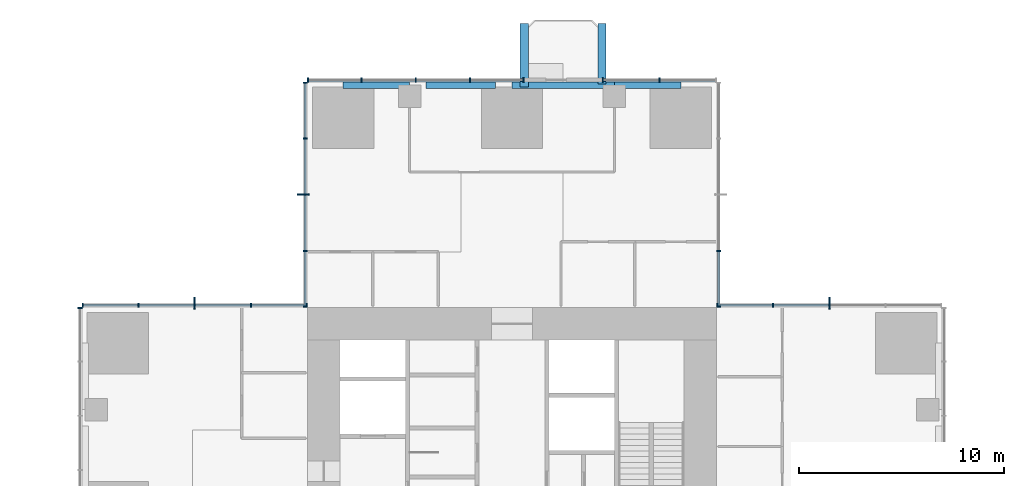
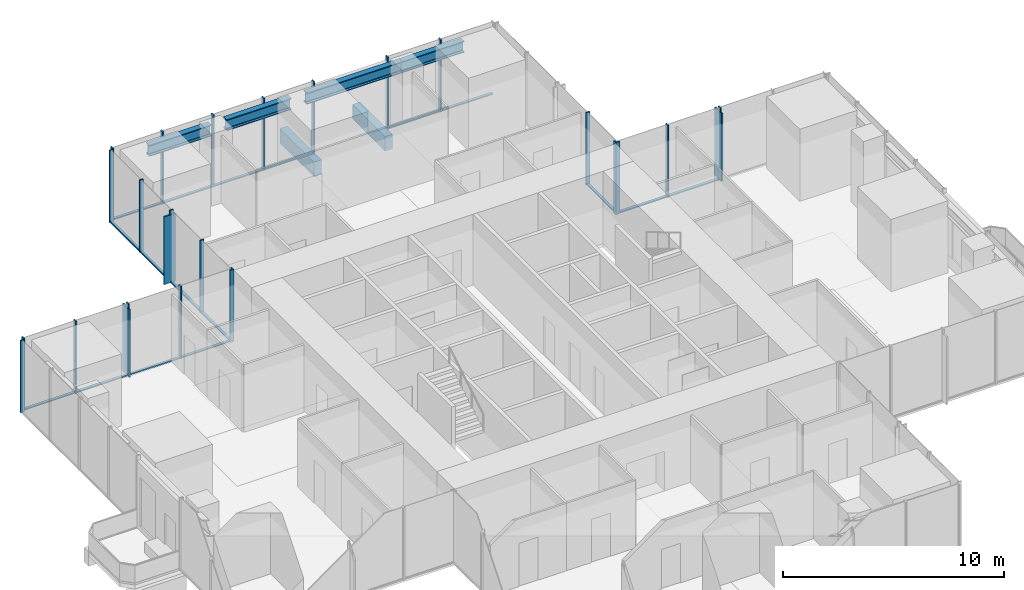
# One storey, part 5 of 13: 43 members, 6 beams, 7 elements without a shape of their own.
"""IFC4 building model written with IfcOpenShell, lengths in metres."""

from ifc_helpers import new_model, si_unit, direction, frame, origin, origin_2d, place, context, subcontext, project, spatial, rectangle, i_section, extrude, material, material_profile, profile_set, type_object, element, aggregate, save


model = new_model("IFC4")

# Units and contexts
model_context = context("Model", 3, precision=1e-05, world=origin(), true_north=direction((0.0, 1.0)))
body_context = subcontext(model_context, "Body", "Model", "MODEL_VIEW")
ifc_project = project(units=[si_unit("LENGTHUNIT", "METRE"), si_unit("AREAUNIT", "SQUARE_METRE"), si_unit("VOLUMEUNIT", "CUBIC_METRE"), si_unit("PLANEANGLEUNIT", "RADIAN"), si_unit("MASSUNIT", "GRAM", prefix="KILO")], contexts=[model_context])

# Site, building, storey
site_placement = place(None, origin())
site = spatial("IfcSite", under=ifc_project, at=site_placement, CompositionType="ELEMENT")
building_placement = place(site_placement, origin())
building = spatial("IfcBuilding", under=site, at=building_placement, Name="Svetlomir Tower", CompositionType="ELEMENT")
storey_placement = place(building_placement, frame((0.0, 0.0, 128.5)))
storey = spatial("IfcBuildingStorey", under=building, at=storey_placement, Name="L30", CompositionType="ELEMENT", Elevation=128.5)

# Beams
ifc_material_1 = material(Name="Concrete C60/75", Category="concrete")
ifc_material_profile_1 = material_profile(ifc_material_1, rectangle(XDim=0.39990234375, YDim=0.800048828125, at=origin_2d()), Name="RC 400x800")
ifc_profile_set_1 = profile_set([ifc_material_profile_1], Name="Concrete C60/75")
beam_type_1 = type_object("IfcBeamType", Name="BALCONY RIB RC 400x800", PredefinedType="BEAM", material=ifc_profile_set_1)
beam_1_placement = place(storey_placement, frame((21.60009765625, 41.75, -0.64990234375), z_axis=(0.0, 1.0, 0.0), x_axis=(-1.0, 0.0, 0.0)))
element("IfcBeam", 1, at=beam_1_placement, inside=storey, type_object=beam_type_1, Name="Balcony rib N 1 L30", PredefinedType="BEAM", context=body_context, shape_type="SweptSolid", body=[
    extrude(rectangle(XDim=0.39990234375, YDim=0.800048828125, at=origin_2d()), origin(), (0.0, 0.0, 1.0), 3.10009765625),
])
beam_2_placement = place(storey_placement, frame((25.39990234375, 41.89990234375, -0.64990234375), z_axis=(0.0, 1.0, 0.0), x_axis=(-1.0, 0.0, 0.0)))
element("IfcBeam", 2, at=beam_2_placement, inside=storey, type_object=beam_type_1, Name="Balcony rib N 2 L30", PredefinedType="BEAM", context=body_context, shape_type="SweptSolid", body=[
    extrude(rectangle(XDim=0.39990234375, YDim=0.800048828125, at=origin_2d()), origin(), (0.0, 0.0, 1.0), 2.9501953125),
])

# Curtain wall, member
ifc_material_2 = material(Name="Bronze anodised aluminium curtain wall", Category="aluminium")
curtain_wall_type = type_object("IfcCurtainWallType", Name="CURTAIN WALL CW1 TOWER OFFICE", PredefinedType="NOTDEFINED", material=ifc_material_2)
curtain_wall_1_placement = place(storey_placement, origin())
curtain_wall_1 = element("IfcCurtainWall", 3, at=curtain_wall_1_placement, inside=storey, type_object=curtain_wall_type, Name="Curtain wall CW1 L30", PredefinedType="NOTDEFINED")
ifc_material_3 = material(Name="Bronze anodised aluminium", Category="aluminium")
ifc_material_profile_2 = material_profile(ifc_material_3, rectangle(XDim=0.080078125, YDim=0.60009765625, at=origin_2d()), Name="FIN 80x600")
ifc_profile_set_2 = profile_set([ifc_material_profile_2], Name="Bronze anodised aluminium 6063-T6")
member_type_1 = type_object("IfcMemberType", Name="BRONZE FIN 80x600", PredefinedType="USERDEFINED", material=ifc_profile_set_2)
member_1_placement = place(storey_placement, frame((36.5, 31.199951171875, 0.0), z_axis=(0.0, 0.0, 1.0), x_axis=(1.0, 0.0, 0.0)))
member_1 = element("IfcMember", 4, at=member_1_placement, type_object=member_type_1, Name="Bronze fin L30", ObjectType="FIN", PredefinedType="USERDEFINED", context=body_context, shape_type="SweptSolid", body=[
    extrude(rectangle(XDim=0.080078125, YDim=0.60009765625, at=origin_2d()), origin(), (0.0, 0.0, 1.0), 3.75),
])

curtain_wall_2_placement = place(storey_placement, origin())
curtain_wall_2 = element("IfcCurtainWall", 5, at=curtain_wall_2_placement, inside=storey, type_object=curtain_wall_type, Name="Curtain wall CW1 L30", PredefinedType="NOTDEFINED")
member_2_placement = place(storey_placement, frame((10.800048828125, 36.5, 0.0), z_axis=(0.0, 0.0, 1.0), x_axis=(0.0, 1.0, 0.0)))
member_2 = element("IfcMember", 6, at=member_2_placement, type_object=member_type_1, Name="Bronze fin L30", ObjectType="FIN", PredefinedType="USERDEFINED", context=body_context, shape_type="SweptSolid", body=[
    extrude(rectangle(XDim=0.080078125, YDim=0.60009765625, at=origin_2d()), origin(), (0.0, 0.0, 1.0), 3.75),
])

curtain_wall_3_placement = place(storey_placement, origin())
curtain_wall_3 = element("IfcCurtainWall", 7, at=curtain_wall_3_placement, inside=storey, type_object=curtain_wall_type, Name="Curtain wall CW1 L30", PredefinedType="NOTDEFINED")
member_3_placement = place(storey_placement, frame((5.5, 31.199951171875, 0.0), z_axis=(0.0, 0.0, 1.0), x_axis=(1.0, 0.0, 0.0)))
member_3 = element("IfcMember", 8, at=member_3_placement, type_object=member_type_1, Name="Bronze fin L30", ObjectType="FIN", PredefinedType="USERDEFINED", context=body_context, shape_type="SweptSolid", body=[
    extrude(rectangle(XDim=0.080078125, YDim=0.60009765625, at=origin_2d()), origin(), (0.0, 0.0, 1.0), 3.75),
])

# Member
ifc_material_4 = material(Name="Bronze anodised aluminium", Category="aluminium")
ifc_material_profile_3 = material_profile(ifc_material_4, rectangle(XDim=0.06494140625, YDim=0.199951171875, at=origin_2d()), Name="AL 65x200")
ifc_profile_set_3 = profile_set([ifc_material_profile_3], Name="Bronze anodised aluminium 6063-T6")
member_type_2 = type_object("IfcMemberType", Name="CW1 MULLION 65x200", PredefinedType="MULLION", material=ifc_profile_set_3)
member_4_placement = place(storey_placement, frame((36.5, 31.10009765625, 0.0), z_axis=(0.0, 0.0, 1.0), x_axis=(-1.0, 0.0, 0.0)))
member_4 = element("IfcMember", 9, at=member_4_placement, type_object=member_type_2, Name="CW1 mullion 3", PredefinedType="MULLION", context=body_context, shape_type="SweptSolid", body=[
    extrude(rectangle(XDim=0.06494140625, YDim=0.199951171875, at=origin_2d()), origin(), (0.0, 0.0, 1.0), 4.0),
])

member_5_placement = place(storey_placement, frame((33.75, 31.10009765625, 0.0), z_axis=(0.0, 0.0, 1.0), x_axis=(-1.0, 0.0, 0.0)))
member_5 = element("IfcMember", 10, at=member_5_placement, type_object=member_type_2, Name="CW1 mullion 4", PredefinedType="MULLION", context=body_context, shape_type="SweptSolid", body=[
    extrude(rectangle(XDim=0.06494140625, YDim=0.199951171875, at=origin_2d()), origin(), (0.0, 0.0, 1.0), 4.0),
])

member_6_placement = place(storey_placement, frame((31.032470703125, 31.10009765625, 0.0), z_axis=(0.0, 0.0, 1.0), x_axis=(-1.0, 0.0, 0.0)))
member_6 = element("IfcMember", 11, at=member_6_placement, type_object=member_type_2, Name="CW1 mullion 5", PredefinedType="MULLION", context=body_context, shape_type="SweptSolid", body=[
    extrude(rectangle(XDim=0.06494140625, YDim=0.199951171875, at=origin_2d()), origin(), (0.0, 0.0, 1.0), 4.0),
])

# Curtain wall, members
curtain_wall_4_placement = place(storey_placement, origin())
curtain_wall_4 = element("IfcCurtainWall", 12, at=curtain_wall_4_placement, inside=storey, type_object=curtain_wall_type, Name="Curtain wall CW1 L30", PredefinedType="NOTDEFINED")
member_7_placement = place(storey_placement, frame((31.10009765625, 31.032470703125, 0.0), z_axis=(0.0, 0.0, 1.0), x_axis=(0.0, 1.0, 0.0)))
member_7 = element("IfcMember", 13, at=member_7_placement, type_object=member_type_2, Name="CW1 mullion 1", PredefinedType="MULLION", context=body_context, shape_type="SweptSolid", body=[
    extrude(rectangle(XDim=0.06494140625, YDim=0.199951171875, at=origin_2d()), origin(), (0.0, 0.0, 1.0), 4.0),
])
member_8_placement = place(storey_placement, frame((31.10009765625, 33.75, 0.0), z_axis=(0.0, 0.0, 1.0), x_axis=(0.0, 1.0, 0.0)))
member_8 = element("IfcMember", 14, at=member_8_placement, type_object=member_type_2, Name="CW1 mullion 2", PredefinedType="MULLION", context=body_context, shape_type="SweptSolid", body=[
    extrude(rectangle(XDim=0.06494140625, YDim=0.199951171875, at=origin_2d()), origin(), (0.0, 0.0, 1.0), 4.0),
])

curtain_wall_5_placement = place(storey_placement, origin())
curtain_wall_5 = element("IfcCurtainWall", 15, at=curtain_wall_5_placement, inside=storey, type_object=curtain_wall_type, Name="Curtain wall CW1 L30", PredefinedType="NOTDEFINED")
member_9_placement = place(storey_placement, frame((28.199951171875, 42.10009765625, 0.0), z_axis=(0.0, 0.0, 1.0), x_axis=(-1.0, 0.0, 0.0)))
member_9 = element("IfcMember", 16, at=member_9_placement, type_object=member_type_2, Name="CW1 mullion 2", PredefinedType="MULLION", context=body_context, shape_type="SweptSolid", body=[
    extrude(rectangle(XDim=0.06494140625, YDim=0.199951171875, at=origin_2d()), origin(), (0.0, 0.0, 1.0), 4.0),
])
member_10_placement = place(storey_placement, frame((25.4326171875, 42.10009765625, 0.0), z_axis=(0.0, 0.0, 1.0), x_axis=(-1.0, 0.0, 0.0)))
member_10 = element("IfcMember", 17, at=member_10_placement, type_object=member_type_2, Name="CW1 mullion 3", PredefinedType="MULLION", context=body_context, shape_type="SweptSolid", body=[
    extrude(rectangle(XDim=0.06494140625, YDim=0.199951171875, at=origin_2d()), origin(), (0.0, 0.0, 1.0), 4.0),
])

curtain_wall_6_placement = place(storey_placement, origin())
curtain_wall_6 = element("IfcCurtainWall", 18, at=curtain_wall_6_placement, inside=storey, type_object=curtain_wall_type, Name="Curtain wall CW1 L30", PredefinedType="NOTDEFINED")
member_11_placement = place(storey_placement, frame((21.5673828125, 42.10009765625, 0.0), z_axis=(0.0, 0.0, 1.0), x_axis=(-1.0, 0.0, 0.0)))
member_11 = element("IfcMember", 19, at=member_11_placement, type_object=member_type_2, Name="CW1 mullion 1", PredefinedType="MULLION", context=body_context, shape_type="SweptSolid", body=[
    extrude(rectangle(XDim=0.06494140625, YDim=0.199951171875, at=origin_2d()), origin(), (0.0, 0.0, 1.0), 4.0),
])
member_12_placement = place(storey_placement, frame((18.949951171875, 42.10009765625, 0.0), z_axis=(0.0, 0.0, 1.0), x_axis=(-1.0, 0.0, 0.0)))
member_12 = element("IfcMember", 20, at=member_12_placement, type_object=member_type_2, Name="CW1 mullion 2", PredefinedType="MULLION", context=body_context, shape_type="SweptSolid", body=[
    extrude(rectangle(XDim=0.06494140625, YDim=0.199951171875, at=origin_2d()), origin(), (0.0, 0.0, 1.0), 4.0),
])
member_13_placement = place(storey_placement, frame((16.300048828125, 42.10009765625, 0.0), z_axis=(0.0, 0.0, 1.0), x_axis=(-1.0, 0.0, 0.0)))
member_13 = element("IfcMember", 21, at=member_13_placement, type_object=member_type_2, Name="CW1 mullion 3", PredefinedType="MULLION", context=body_context, shape_type="SweptSolid", body=[
    extrude(rectangle(XDim=0.06494140625, YDim=0.199951171875, at=origin_2d()), origin(), (0.0, 0.0, 1.0), 4.0),
])
member_14_placement = place(storey_placement, frame((13.64990234375, 42.10009765625, 0.0), z_axis=(0.0, 0.0, 1.0), x_axis=(-1.0, 0.0, 0.0)))
member_14 = element("IfcMember", 22, at=member_14_placement, type_object=member_type_2, Name="CW1 mullion 4", PredefinedType="MULLION", context=body_context, shape_type="SweptSolid", body=[
    extrude(rectangle(XDim=0.06494140625, YDim=0.199951171875, at=origin_2d()), origin(), (0.0, 0.0, 1.0), 4.0),
])
member_15_placement = place(storey_placement, frame((11.032470703125, 42.10009765625, 0.0), z_axis=(0.0, 0.0, 1.0), x_axis=(-1.0, 0.0, 0.0)))
member_15 = element("IfcMember", 23, at=member_15_placement, type_object=member_type_2, Name="CW1 mullion 5", PredefinedType="MULLION", context=body_context, shape_type="SweptSolid", body=[
    extrude(rectangle(XDim=0.06494140625, YDim=0.199951171875, at=origin_2d()), origin(), (0.0, 0.0, 1.0), 4.0),
])

# Member
member_16_placement = place(storey_placement, frame((10.89990234375, 41.967529296875, 0.0), z_axis=(0.0, 0.0, 1.0), x_axis=(0.0, -1.0, 0.0)))
member_16 = element("IfcMember", 24, at=member_16_placement, type_object=member_type_2, Name="CW1 mullion 1", PredefinedType="MULLION", context=body_context, shape_type="SweptSolid", body=[
    extrude(rectangle(XDim=0.06494140625, YDim=0.199951171875, at=origin_2d()), origin(), (0.0, 0.0, 1.0), 4.0),
])

member_17_placement = place(storey_placement, frame((10.89990234375, 39.25, 0.0), z_axis=(0.0, 0.0, 1.0), x_axis=(0.0, -1.0, 0.0)))
member_17 = element("IfcMember", 25, at=member_17_placement, type_object=member_type_2, Name="CW1 mullion 2", PredefinedType="MULLION", context=body_context, shape_type="SweptSolid", body=[
    extrude(rectangle(XDim=0.06494140625, YDim=0.199951171875, at=origin_2d()), origin(), (0.0, 0.0, 1.0), 4.0),
])

member_18_placement = place(storey_placement, frame((10.89990234375, 36.5, 0.0), z_axis=(0.0, 0.0, 1.0), x_axis=(0.0, -1.0, 0.0)))
member_18 = element("IfcMember", 26, at=member_18_placement, type_object=member_type_2, Name="CW1 mullion 3", PredefinedType="MULLION", context=body_context, shape_type="SweptSolid", body=[
    extrude(rectangle(XDim=0.06494140625, YDim=0.199951171875, at=origin_2d()), origin(), (0.0, 0.0, 1.0), 4.0),
])

member_19_placement = place(storey_placement, frame((10.89990234375, 33.75, 0.0), z_axis=(0.0, 0.0, 1.0), x_axis=(0.0, -1.0, 0.0)))
member_19 = element("IfcMember", 27, at=member_19_placement, type_object=member_type_2, Name="CW1 mullion 4", PredefinedType="MULLION", context=body_context, shape_type="SweptSolid", body=[
    extrude(rectangle(XDim=0.06494140625, YDim=0.199951171875, at=origin_2d()), origin(), (0.0, 0.0, 1.0), 4.0),
])

member_20_placement = place(storey_placement, frame((10.89990234375, 31.032470703125, 0.0), z_axis=(0.0, 0.0, 1.0), x_axis=(0.0, -1.0, 0.0)))
member_20 = element("IfcMember", 28, at=member_20_placement, type_object=member_type_2, Name="CW1 mullion 5", PredefinedType="MULLION", context=body_context, shape_type="SweptSolid", body=[
    extrude(rectangle(XDim=0.06494140625, YDim=0.199951171875, at=origin_2d()), origin(), (0.0, 0.0, 1.0), 4.0),
])

member_21_placement = place(storey_placement, frame((10.967529296875, 31.10009765625, 0.0), z_axis=(0.0, 0.0, 1.0), x_axis=(-1.0, 0.0, 0.0)))
member_21 = element("IfcMember", 29, at=member_21_placement, type_object=member_type_2, Name="CW1 mullion 1", PredefinedType="MULLION", context=body_context, shape_type="SweptSolid", body=[
    extrude(rectangle(XDim=0.06494140625, YDim=0.199951171875, at=origin_2d()), origin(), (0.0, 0.0, 1.0), 4.0),
])

member_22_placement = place(storey_placement, frame((8.25, 31.10009765625, 0.0), z_axis=(0.0, 0.0, 1.0), x_axis=(-1.0, 0.0, 0.0)))
member_22 = element("IfcMember", 30, at=member_22_placement, type_object=member_type_2, Name="CW1 mullion 2", PredefinedType="MULLION", context=body_context, shape_type="SweptSolid", body=[
    extrude(rectangle(XDim=0.06494140625, YDim=0.199951171875, at=origin_2d()), origin(), (0.0, 0.0, 1.0), 4.0),
])

member_23_placement = place(storey_placement, frame((5.5, 31.10009765625, 0.0), z_axis=(0.0, 0.0, 1.0), x_axis=(-1.0, 0.0, 0.0)))
member_23 = element("IfcMember", 31, at=member_23_placement, type_object=member_type_2, Name="CW1 mullion 3", PredefinedType="MULLION", context=body_context, shape_type="SweptSolid", body=[
    extrude(rectangle(XDim=0.06494140625, YDim=0.199951171875, at=origin_2d()), origin(), (0.0, 0.0, 1.0), 4.0),
])

member_24_placement = place(storey_placement, frame((2.75, 31.10009765625, 0.0), z_axis=(0.0, 0.0, 1.0), x_axis=(-1.0, 0.0, 0.0)))
member_24 = element("IfcMember", 32, at=member_24_placement, type_object=member_type_2, Name="CW1 mullion 4", PredefinedType="MULLION", context=body_context, shape_type="SweptSolid", body=[
    extrude(rectangle(XDim=0.06494140625, YDim=0.199951171875, at=origin_2d()), origin(), (0.0, 0.0, 1.0), 4.0),
])

member_25_placement = place(storey_placement, frame((0.032470703125, 31.10009765625, 0.0), z_axis=(0.0, 0.0, 1.0), x_axis=(-1.0, 0.0, 0.0)))
member_25 = element("IfcMember", 33, at=member_25_placement, type_object=member_type_2, Name="CW1 mullion 5", PredefinedType="MULLION", context=body_context, shape_type="SweptSolid", body=[
    extrude(rectangle(XDim=0.06494140625, YDim=0.199951171875, at=origin_2d()), origin(), (0.0, 0.0, 1.0), 4.0),
])

# Curtain wall, member
curtain_wall_7_placement = place(storey_placement, origin())
curtain_wall_7 = element("IfcCurtainWall", 34, at=curtain_wall_7_placement, inside=storey, type_object=curtain_wall_type, Name="Curtain wall CW1 L30", PredefinedType="NOTDEFINED")
member_26_placement = place(storey_placement, frame((-0.10009765625, 30.967529296875, 0.0), z_axis=(0.0, 0.0, 1.0), x_axis=(0.0, -1.0, 0.0)))
member_26 = element("IfcMember", 35, at=member_26_placement, type_object=member_type_2, Name="CW1 mullion 1", PredefinedType="MULLION", context=body_context, shape_type="SweptSolid", body=[
    extrude(rectangle(XDim=0.06494140625, YDim=0.199951171875, at=origin_2d()), origin(), (0.0, 0.0, 1.0), 4.0),
])
aggregate(curtain_wall_7, [member_26])

# Member
ifc_material_5 = material(Name="Bronze anodised aluminium", Category="aluminium")
ifc_material_profile_4 = material_profile(ifc_material_5, rectangle(XDim=0.139892578125, YDim=0.06494140625, at=origin_2d()), Name="AL 140x65")
ifc_profile_set_4 = profile_set([ifc_material_profile_4], Name="Bronze anodised aluminium 6063-T6")
member_type_3 = type_object("IfcMemberType", Name="CW1 TRANSOM 65x140", PredefinedType="USERDEFINED", material=ifc_profile_set_4)
member_27_placement = place(storey_placement, frame((36.467529296875, 31.10009765625, 0.032470703125), z_axis=(-1.0, 0.0, 0.0), x_axis=(0.0, -1.0, 0.0)))
member_27 = element("IfcMember", 36, at=member_27_placement, type_object=member_type_3, Name="CW1 transom 3.1", ObjectType="TRANSOM", PredefinedType="USERDEFINED", context=body_context, shape_type="SweptSolid", body=[
    extrude(rectangle(XDim=0.139892578125, YDim=0.06494140625, at=origin_2d()), origin(), (0.0, 0.0, 1.0), 2.68505859375),
])

member_28_placement = place(storey_placement, frame((33.717529296875, 31.10009765625, 0.032470703125), z_axis=(-1.0, 0.0, 0.0), x_axis=(0.0, -1.0, 0.0)))
member_28 = element("IfcMember", 37, at=member_28_placement, type_object=member_type_3, Name="CW1 transom 4.1", ObjectType="TRANSOM", PredefinedType="USERDEFINED", context=body_context, shape_type="SweptSolid", body=[
    extrude(rectangle(XDim=0.139892578125, YDim=0.06494140625, at=origin_2d()), origin(), (0.0, 0.0, 1.0), 2.652587890625),
])

aggregate(curtain_wall_1, [member_4, member_5, member_6, member_27, member_28, member_1])

member_29_placement = place(storey_placement, frame((31.10009765625, 31.06494140625, 0.032470703125), z_axis=(0.0, 1.0, 0.0), x_axis=(-1.0, 0.0, 0.0)))
member_29 = element("IfcMember", 38, at=member_29_placement, type_object=member_type_3, Name="CW1 transom 1.1", ObjectType="TRANSOM", PredefinedType="USERDEFINED", context=body_context, shape_type="SweptSolid", body=[
    extrude(rectangle(XDim=0.139892578125, YDim=0.06494140625, at=origin_2d()), origin(), (0.0, 0.0, 1.0), 2.652587890625),
])

aggregate(curtain_wall_4, [member_7, member_8, member_29])

member_30_placement = place(storey_placement, frame((30.93505859375, 42.10009765625, 0.032470703125), z_axis=(-1.0, 0.0, 0.0), x_axis=(0.0, -1.0, 0.0)))
member_30 = element("IfcMember", 39, at=member_30_placement, type_object=member_type_3, Name="CW1 transom 1.1", ObjectType="TRANSOM", PredefinedType="USERDEFINED", context=body_context, shape_type="SweptSolid", body=[
    extrude(rectangle(XDim=0.139892578125, YDim=0.06494140625, at=origin_2d()), origin(), (0.0, 0.0, 1.0), 2.70263671875),
])

member_31_placement = place(storey_placement, frame((28.16748046875, 42.10009765625, 0.032470703125), z_axis=(-1.0, 0.0, 0.0), x_axis=(0.0, -1.0, 0.0)))
member_31 = element("IfcMember", 40, at=member_31_placement, type_object=member_type_3, Name="CW1 transom 2.1", ObjectType="TRANSOM", PredefinedType="USERDEFINED", context=body_context, shape_type="SweptSolid", body=[
    extrude(rectangle(XDim=0.139892578125, YDim=0.06494140625, at=origin_2d()), origin(), (0.0, 0.0, 1.0), 2.702392578125),
])

aggregate(curtain_wall_5, [member_9, member_10, member_30, member_31])

member_32_placement = place(storey_placement, frame((21.534912109375, 42.10009765625, 0.032470703125), z_axis=(-1.0, 0.0, 0.0), x_axis=(0.0, -1.0, 0.0)))
member_32 = element("IfcMember", 41, at=member_32_placement, type_object=member_type_3, Name="CW1 transom 1.1", ObjectType="TRANSOM", PredefinedType="USERDEFINED", context=body_context, shape_type="SweptSolid", body=[
    extrude(rectangle(XDim=0.139892578125, YDim=0.06494140625, at=origin_2d()), origin(), (0.0, 0.0, 1.0), 2.552490234375),
])

member_33_placement = place(storey_placement, frame((18.91748046875, 42.10009765625, 0.032470703125), z_axis=(-1.0, 0.0, 0.0), x_axis=(0.0, -1.0, 0.0)))
member_33 = element("IfcMember", 42, at=member_33_placement, type_object=member_type_3, Name="CW1 transom 2.1", ObjectType="TRANSOM", PredefinedType="USERDEFINED", context=body_context, shape_type="SweptSolid", body=[
    extrude(rectangle(XDim=0.139892578125, YDim=0.06494140625, at=origin_2d()), origin(), (0.0, 0.0, 1.0), 2.5849609375),
])

member_34_placement = place(storey_placement, frame((16.267578125, 42.10009765625, 0.032470703125), z_axis=(-1.0, 0.0, 0.0), x_axis=(0.0, -1.0, 0.0)))
member_34 = element("IfcMember", 43, at=member_34_placement, type_object=member_type_3, Name="CW1 transom 3.1", ObjectType="TRANSOM", PredefinedType="USERDEFINED", context=body_context, shape_type="SweptSolid", body=[
    extrude(rectangle(XDim=0.139892578125, YDim=0.06494140625, at=origin_2d()), origin(), (0.0, 0.0, 1.0), 2.5849609375),
])

member_35_placement = place(storey_placement, frame((13.617431640625, 42.10009765625, 0.032470703125), z_axis=(-1.0, 0.0, 0.0), x_axis=(0.0, -1.0, 0.0)))
member_35 = element("IfcMember", 44, at=member_35_placement, type_object=member_type_3, Name="CW1 transom 4.1", ObjectType="TRANSOM", PredefinedType="USERDEFINED", context=body_context, shape_type="SweptSolid", body=[
    extrude(rectangle(XDim=0.139892578125, YDim=0.06494140625, at=origin_2d()), origin(), (0.0, 0.0, 1.0), 2.552490234375),
])

aggregate(curtain_wall_6, [member_11, member_12, member_13, member_14, member_15, member_32, member_33, member_34, member_35])

member_36_placement = place(storey_placement, frame((10.89990234375, 41.93505859375, 0.032470703125), z_axis=(0.0, -1.0, 0.0), x_axis=(1.0, 0.0, 0.0)))
member_36 = element("IfcMember", 45, at=member_36_placement, type_object=member_type_3, Name="CW1 transom 1.1", ObjectType="TRANSOM", PredefinedType="USERDEFINED", context=body_context, shape_type="SweptSolid", body=[
    extrude(rectangle(XDim=0.139892578125, YDim=0.06494140625, at=origin_2d()), origin(), (0.0, 0.0, 1.0), 2.652587890625),
])

member_37_placement = place(storey_placement, frame((10.89990234375, 39.217529296875, 0.032470703125), z_axis=(0.0, -1.0, 0.0), x_axis=(1.0, 0.0, 0.0)))
member_37 = element("IfcMember", 46, at=member_37_placement, type_object=member_type_3, Name="CW1 transom 2.1", ObjectType="TRANSOM", PredefinedType="USERDEFINED", context=body_context, shape_type="SweptSolid", body=[
    extrude(rectangle(XDim=0.139892578125, YDim=0.06494140625, at=origin_2d()), origin(), (0.0, 0.0, 1.0), 2.68505859375),
])

member_38_placement = place(storey_placement, frame((10.89990234375, 36.467529296875, 0.032470703125), z_axis=(0.0, -1.0, 0.0), x_axis=(1.0, 0.0, 0.0)))
member_38 = element("IfcMember", 47, at=member_38_placement, type_object=member_type_3, Name="CW1 transom 3.1", ObjectType="TRANSOM", PredefinedType="USERDEFINED", context=body_context, shape_type="SweptSolid", body=[
    extrude(rectangle(XDim=0.139892578125, YDim=0.06494140625, at=origin_2d()), origin(), (0.0, 0.0, 1.0), 2.68505859375),
])

member_39_placement = place(storey_placement, frame((10.89990234375, 33.717529296875, 0.032470703125), z_axis=(0.0, -1.0, 0.0), x_axis=(1.0, 0.0, 0.0)))
member_39 = element("IfcMember", 48, at=member_39_placement, type_object=member_type_3, Name="CW1 transom 4.1", ObjectType="TRANSOM", PredefinedType="USERDEFINED", context=body_context, shape_type="SweptSolid", body=[
    extrude(rectangle(XDim=0.139892578125, YDim=0.06494140625, at=origin_2d()), origin(), (0.0, 0.0, 1.0), 2.652587890625),
])

aggregate(curtain_wall_2, [member_16, member_17, member_18, member_19, member_20, member_36, member_37, member_38, member_39, member_2])

member_40_placement = place(storey_placement, frame((10.93505859375, 31.10009765625, 0.032470703125), z_axis=(-1.0, 0.0, 0.0), x_axis=(0.0, -1.0, 0.0)))
member_40 = element("IfcMember", 49, at=member_40_placement, type_object=member_type_3, Name="CW1 transom 1.1", ObjectType="TRANSOM", PredefinedType="USERDEFINED", context=body_context, shape_type="SweptSolid", body=[
    extrude(rectangle(XDim=0.139892578125, YDim=0.06494140625, at=origin_2d()), origin(), (0.0, 0.0, 1.0), 2.652587890625),
])

member_41_placement = place(storey_placement, frame((8.217529296875, 31.10009765625, 0.032470703125), z_axis=(-1.0, 0.0, 0.0), x_axis=(0.0, -1.0, 0.0)))
member_41 = element("IfcMember", 50, at=member_41_placement, type_object=member_type_3, Name="CW1 transom 2.1", ObjectType="TRANSOM", PredefinedType="USERDEFINED", context=body_context, shape_type="SweptSolid", body=[
    extrude(rectangle(XDim=0.139892578125, YDim=0.06494140625, at=origin_2d()), origin(), (0.0, 0.0, 1.0), 2.68505859375),
])

member_42_placement = place(storey_placement, frame((5.467529296875, 31.10009765625, 0.032470703125), z_axis=(-1.0, 0.0, 0.0), x_axis=(0.0, -1.0, 0.0)))
member_42 = element("IfcMember", 51, at=member_42_placement, type_object=member_type_3, Name="CW1 transom 3.1", ObjectType="TRANSOM", PredefinedType="USERDEFINED", context=body_context, shape_type="SweptSolid", body=[
    extrude(rectangle(XDim=0.139892578125, YDim=0.06494140625, at=origin_2d()), origin(), (0.0, 0.0, 1.0), 2.68505859375),
])

member_43_placement = place(storey_placement, frame((2.717529296875, 31.10009765625, 0.032470703125), z_axis=(-1.0, 0.0, 0.0), x_axis=(0.0, -1.0, 0.0)))
member_43 = element("IfcMember", 52, at=member_43_placement, type_object=member_type_3, Name="CW1 transom 4.1", ObjectType="TRANSOM", PredefinedType="USERDEFINED", context=body_context, shape_type="SweptSolid", body=[
    extrude(rectangle(XDim=0.139892578125, YDim=0.06494140625, at=origin_2d()), origin(), (0.0, 0.0, 1.0), 2.652587890625),
])

aggregate(curtain_wall_3, [member_21, member_22, member_23, member_24, member_25, member_40, member_41, member_42, member_43, member_3])

# Beams
ifc_material_6 = material(Name="Steel S355", Category="steel")
ifc_material_profile_5 = material_profile(ifc_material_6, i_section(OverallWidth=0.304931640625, OverallDepth=0.6201171875, WebThickness=0.02099609375, FlangeThickness=0.0400390625, FilletRadius=0.027099609375, at=origin_2d()), Name="HEM 600")
ifc_profile_set_5 = profile_set([ifc_material_profile_5], Name="Steel S355")
beam_type_2 = type_object("IfcBeamType", Name="EDGE BEAM HEM 600", PredefinedType="SPANDREL", material=ifc_profile_set_5)
beam_3_placement = place(storey_placement, frame((12.75, 41.847412109375, 3.43994140625), z_axis=(1.0, 0.0, 0.0), x_axis=(0.0, 1.0, 0.0)))
element("IfcBeam", 53, at=beam_3_placement, inside=storey, type_object=beam_type_2, Name="Edge beam 11/42 to 16/42 under L31", PredefinedType="SPANDREL", context=body_context, shape_type="SweptSolid", body=[
    extrude(i_section(OverallWidth=0.304931640625, OverallDepth=0.6201171875, WebThickness=0.02099609375, FlangeThickness=0.0400390625, FilletRadius=0.027099609375, at=origin_2d()), origin(), (0.0, 0.0, 1.0), 3.25),
])
beam_4_placement = place(storey_placement, frame((16.800048828125, 41.847412109375, 3.43994140625), z_axis=(1.0, 0.0, 0.0), x_axis=(0.0, 1.0, 0.0)))
element("IfcBeam", 54, at=beam_4_placement, inside=storey, type_object=beam_type_2, Name="Edge beam 16/42 to 21/42 under L31", PredefinedType="SPANDREL", context=body_context, shape_type="SweptSolid", body=[
    extrude(i_section(OverallWidth=0.304931640625, OverallDepth=0.6201171875, WebThickness=0.02099609375, FlangeThickness=0.0400390625, FilletRadius=0.027099609375, at=origin_2d()), origin(), (0.0, 0.0, 1.0), 3.39990234375),
])
beam_5_placement = place(storey_placement, frame((21.0, 41.847412109375, 3.43994140625), z_axis=(1.0, 0.0, 0.0), x_axis=(0.0, 1.0, 0.0)))
element("IfcBeam", 55, at=beam_5_placement, inside=storey, type_object=beam_type_2, Name="Edge beam 21/42 to 26/42 under L31", PredefinedType="SPANDREL", context=body_context, shape_type="SweptSolid", body=[
    extrude(i_section(OverallWidth=0.304931640625, OverallDepth=0.6201171875, WebThickness=0.02099609375, FlangeThickness=0.0400390625, FilletRadius=0.027099609375, at=origin_2d()), origin(), (0.0, 0.0, 1.0), 5.0),
])
beam_6_placement = place(storey_placement, frame((26.0, 41.847412109375, 3.43994140625), z_axis=(1.0, 0.0, 0.0), x_axis=(0.0, 1.0, 0.0)))
element("IfcBeam", 56, at=beam_6_placement, inside=storey, type_object=beam_type_2, Name="Edge beam 26/42 to 31/42 under L31", PredefinedType="SPANDREL", context=body_context, shape_type="SweptSolid", body=[
    extrude(i_section(OverallWidth=0.304931640625, OverallDepth=0.6201171875, WebThickness=0.02099609375, FlangeThickness=0.0400390625, FilletRadius=0.027099609375, at=origin_2d()), origin(), (0.0, 0.0, 1.0), 3.25),
])

save(model, "model.ifc")
